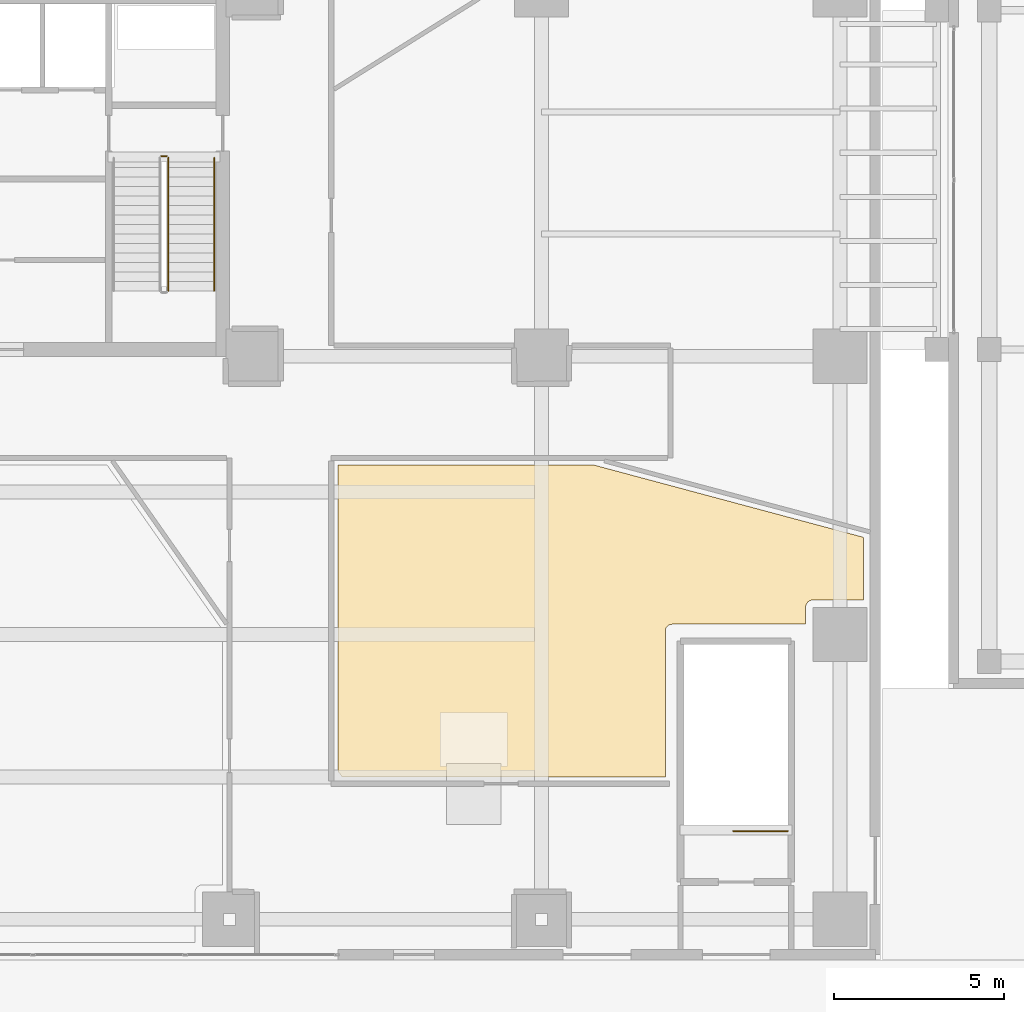
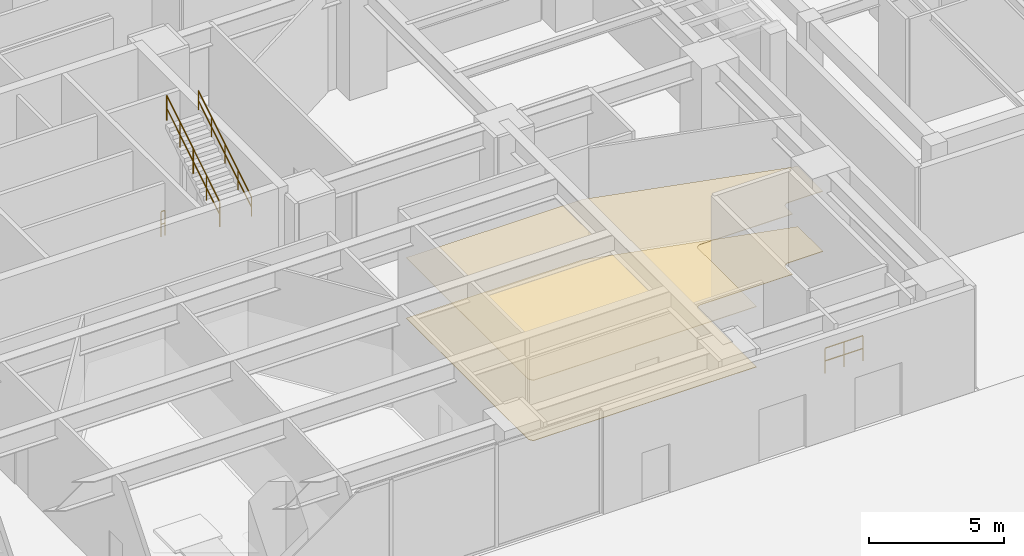
# One storey, part 25 of 28: 4 railings, 2 coverings.
"""IFC4 building model written with IfcOpenShell, lengths in metres."""

from ifc_helpers import new_model, si_unit, direction, frame, origin, origin_2d, place, context, subcontext, project, spatial, polyline, circle, outline, extrude, material, layer, layer_set, type_object, element, save


model = new_model("IFC4")

# Units and contexts
model_context = context("Model", 3, precision=1e-05, world=origin(), true_north=direction((0.0, 1.0)))
body_context = subcontext(model_context, "Body", "Model", "MODEL_VIEW")
ifc_project = project(units=[si_unit("LENGTHUNIT", "METRE"), si_unit("AREAUNIT", "SQUARE_METRE"), si_unit("VOLUMEUNIT", "CUBIC_METRE"), si_unit("PLANEANGLEUNIT", "RADIAN"), si_unit("MASSUNIT", "GRAM", prefix="KILO")], contexts=[model_context])

# Site, building, storey
site_placement = place(None, origin())
site = spatial("IfcSite", under=ifc_project, at=site_placement, CompositionType="ELEMENT")
building_placement = place(site_placement, origin())
building = spatial("IfcBuilding", under=site, at=building_placement, Name="Talar Marvaseh", CompositionType="ELEMENT")
storey_placement = place(building_placement, origin())
storey = spatial("IfcBuildingStorey", under=building, at=storey_placement, Name="L00", CompositionType="ELEMENT", Elevation=0.0)

# Railings
ifc_material_1 = material(Name="Stainless Steel Grade 316", Category="steel")
railing_type_1 = type_object("IfcRailingType", Name="Brushed Stainless Wall Pitch Handrail 900", PredefinedType="HANDRAIL", material=ifc_material_1)
railing_1_placement = place(storey_placement, frame((32.35009765625, 27.72998046875, 2.7734375)))
element("IfcRailing", 1, at=railing_1_placement, inside=storey, type_object=railing_type_1, Name="L00 ST-2 stair handrail 2", PredefinedType="HANDRAIL", context=body_context, shape_type="SweptSolid", body=[
    extrude(circle(Radius=0.02392578125, at=origin_2d()), frame((0.0, 0.0, 0.8759765625), z_axis=(0.0, 0.850275303828, 0.526338206574), x_axis=(-1.0, 0.0, 0.0)), (0.0, 0.0, 1.0), 4.610107421875),
    extrude(circle(Radius=0.02392578125, at=origin_2d()), frame((0.0, 0.0, 0.42578125), z_axis=(0.0, 0.850275303828, 0.526338206574), x_axis=(-1.0, 0.0, 0.0)), (0.0, 0.0, 1.0), 4.610107421875),
    extrude(circle(Radius=0.02099609375, at=origin_2d()), origin(), (0.0, 0.0, 1.0), 0.851806640625),
    extrude(circle(Radius=0.02099609375, at=origin_2d()), frame((0.0, 0.97998046875, 0.606689453125)), (0.0, 0.0, 1.0), 0.851806640625),
    extrude(circle(Radius=0.02099609375, at=origin_2d()), frame((0.0, 1.9599609375, 1.21337890625)), (0.0, 0.0, 1.0), 0.851806640625),
    extrude(circle(Radius=0.02099609375, at=origin_2d()), frame((0.0, 2.93994140625, 1.81982421875)), (0.0, 0.0, 1.0), 0.851806640625),
    extrude(circle(Radius=0.02099609375, at=origin_2d()), frame((0.0, 3.919921875, 2.426513671875)), (0.0, 0.0, 1.0), 0.851806640625),
])
railing_type_2 = type_object("IfcRailingType", Name="Painted Steel Core Stair Well Guardrail 1150", PredefinedType="GUARDRAIL", material=ifc_material_1)
railing_2_placement = place(storey_placement, frame((31.0, 27.72998046875, 2.7734375)))
element("IfcRailing", 2, at=railing_2_placement, inside=storey, type_object=railing_type_2, Name="L00 ST-2 stair guard 3", PredefinedType="GUARDRAIL", context=body_context, shape_type="SweptSolid", body=[
    extrude(circle(Radius=0.02392578125, at=origin_2d()), frame((0.0, 0.0, 1.1259765625), z_axis=(0.0, 0.850275303828, 0.526338206574), x_axis=(-1.0, 0.0, 0.0)), (0.0, 0.0, 1.0), 4.610107421875),
    extrude(circle(Radius=0.02392578125, at=origin_2d()), frame((0.0, 0.0, 0.55078125), z_axis=(0.0, 0.850275303828, 0.526338206574), x_axis=(-1.0, 0.0, 0.0)), (0.0, 0.0, 1.0), 4.610107421875),
    extrude(circle(Radius=0.02099609375, at=origin_2d()), origin(), (0.0, 0.0, 1.0), 1.101806640625),
    extrude(circle(Radius=0.02099609375, at=origin_2d()), frame((0.0, 0.97998046875, 0.606689453125)), (0.0, 0.0, 1.0), 1.101806640625),
    extrude(circle(Radius=0.02099609375, at=origin_2d()), frame((0.0, 1.9599609375, 1.21337890625)), (0.0, 0.0, 1.0), 1.101806640625),
    extrude(circle(Radius=0.02099609375, at=origin_2d()), frame((0.0, 2.93994140625, 1.81982421875)), (0.0, 0.0, 1.0), 1.101806640625),
    extrude(circle(Radius=0.02099609375, at=origin_2d()), frame((0.0, 3.919921875, 2.426513671875)), (0.0, 0.0, 1.0), 1.101806640625),
])
railing_3_placement = place(storey_placement, frame((30.7900390625, 31.699951171875, 0.0)))
element("IfcRailing", 3, at=railing_3_placement, inside=storey, type_object=railing_type_2, Name="L00 ST-2 stair guard 4", PredefinedType="GUARDRAIL", context=body_context, shape_type="SweptSolid", body=[
    extrude(circle(Radius=0.02392578125, at=origin_2d()), frame((0.0, 0.0, 1.1259765625), z_axis=(1.0, 0.0, 0.0), x_axis=(0.0, 1.0, 0.0)), (0.0, 0.0, 1.0), 0.159912109375),
    extrude(circle(Radius=0.02392578125, at=origin_2d()), frame((0.0, 0.0, 0.55078125), z_axis=(1.0, 0.0, 0.0), x_axis=(0.0, 1.0, 0.0)), (0.0, 0.0, 1.0), 0.159912109375),
    extrude(circle(Radius=0.02099609375, at=origin_2d()), origin(), (0.0, 0.0, 1.0), 1.101806640625),
    extrude(circle(Radius=0.02099609375, at=origin_2d()), frame((0.159912109375, 0.0, 0.0)), (0.0, 0.0, 1.0), 1.101806640625),
])
railing_4_placement = place(storey_placement, frame((49.260009765625, 11.800048828125, 0.0)))
element("IfcRailing", 4, at=railing_4_placement, inside=storey, type_object=railing_type_2, Name="L00 STN-ST2 top well guard 1", PredefinedType="GUARDRAIL", context=body_context, shape_type="SweptSolid", body=[
    extrude(circle(Radius=0.02392578125, at=origin_2d()), frame((0.0, 0.0, 1.1259765625), z_axis=(-1.0, 0.0, 0.0), x_axis=(0.0, -1.0, 0.0)), (0.0, 0.0, 1.0), 1.610107421875),
    extrude(circle(Radius=0.02392578125, at=origin_2d()), frame((0.0, 0.0, 0.55078125), z_axis=(-1.0, 0.0, 0.0), x_axis=(0.0, -1.0, 0.0)), (0.0, 0.0, 1.0), 1.610107421875),
    extrude(circle(Radius=0.02099609375, at=origin_2d()), origin(), (0.0, 0.0, 1.0), 1.101806640625),
    extrude(circle(Radius=0.02099609375, at=origin_2d()), frame((-0.80517578125, 0.0, 0.0)), (0.0, 0.0, 1.0), 1.101806640625),
    extrude(circle(Radius=0.02099609375, at=origin_2d()), frame((-1.610107421875, 0.0, 0.0)), (0.0, 0.0, 1.0), 1.101806640625),
])

# Coverings
ifc_material_2 = material(Name="Mineral Fibre Acoustic Ceiling")
ifc_layer_1 = layer(ifc_material_2, 0.02490234375)
ifc_layer_set_1 = layer_set([ifc_layer_1], Name="Mineral Fibre Acoustic Ceiling")
covering_type_1 = type_object("IfcCoveringType", Name="Perforated Mineral Fibre Acoustic Suspended Ceiling", PredefinedType="CEILING", material=ifc_layer_set_1)
covering_1_placement = place(storey_placement, frame((0.0, 0.0, 2.719970703125)))
element("IfcCovering", 5, at=covering_1_placement, inside=storey, type_object=covering_type_1, Name="L00 Museum Bookshop and Craft Boutique Acoustic Ceiling", PredefinedType="CEILING", context=body_context, shape_type="SweptSolid", body=[
    extrude(outline(polyline([(36.0, 13.567138671875), (36.0, 22.60009765625), (43.514404296875, 22.60009765625), (51.489990234375, 20.462890625), (51.489990234375, 18.614990234375), (49.994140625, 18.614013671875), (49.974609375, 18.61279296875), (49.955078125, 18.610107421875), (49.936279296875, 18.605224609375), (49.917724609375, 18.5986328125), (49.89990234375, 18.59033203125), (49.88330078125, 18.580078125), (49.867431640625, 18.568603515625), (49.852783203125, 18.555419921875), (49.83984375, 18.541015625), (49.828125, 18.525146484375), (49.81884765625, 18.51123046875), (49.80859375, 18.494384765625), (49.80029296875, 18.4765625), (49.793701171875, 18.4580078125), (49.788818359375, 18.439208984375), (49.785888671875, 18.419677734375), (49.784912109375, 18.39990234375), (49.784912109375, 17.89990234375), (45.85009765625, 17.89990234375), (45.830322265625, 17.89892578125), (45.81103515625, 17.896240234375), (45.7919921875, 17.891357421875), (45.7734375, 17.884765625), (45.755615234375, 17.87646484375), (45.739013671875, 17.8662109375), (45.72314453125, 17.8544921875), (45.70849609375, 17.84130859375), (45.6953125, 17.826904296875), (45.68359375, 17.81103515625), (45.673583984375, 17.794189453125), (45.665283203125, 17.776611328125), (45.65869140625, 17.758056640625), (45.65380859375, 17.739013671875), (45.65087890625, 17.719482421875), (45.64990234375, 17.699951171875), (45.64990234375, 13.39990234375), (36.1171875, 13.39990234375), (36.0, 13.567138671875)])), origin(), (0.0, 0.0, 1.0), 0.025146484375),
])
ifc_material_3 = material(Name="Porcelain Stoneware Tile", Category="masonry")
ifc_layer_2 = layer(ifc_material_3, 0.02001953125)
ifc_layer_set_2 = layer_set([ifc_layer_2], Name="Porcelain Stoneware Tile")
covering_type_2 = type_object("IfcCoveringType", Name="Polished Porcelain Stoneware Gallery Flooring", PredefinedType="FLOORING", material=ifc_layer_set_2)
covering_2_placement = place(storey_placement, origin())
element("IfcCovering", 6, at=covering_2_placement, inside=storey, type_object=covering_type_2, Name="L00 Museum Bookshop and Craft Boutique Flooring", PredefinedType="FLOORING", context=body_context, shape_type="SweptSolid", body=[
    extrude(outline(polyline([(36.0, 13.567138671875), (36.0, 22.60009765625), (43.514404296875, 22.60009765625), (51.489990234375, 20.462890625), (51.489990234375, 18.614990234375), (49.994140625, 18.614013671875), (49.974609375, 18.61279296875), (49.955078125, 18.610107421875), (49.936279296875, 18.605224609375), (49.917724609375, 18.5986328125), (49.89990234375, 18.59033203125), (49.88330078125, 18.580078125), (49.867431640625, 18.568603515625), (49.852783203125, 18.555419921875), (49.83984375, 18.541015625), (49.828125, 18.525146484375), (49.81884765625, 18.51123046875), (49.80859375, 18.494384765625), (49.80029296875, 18.4765625), (49.793701171875, 18.4580078125), (49.788818359375, 18.439208984375), (49.785888671875, 18.419677734375), (49.784912109375, 18.39990234375), (49.784912109375, 17.89990234375), (45.85009765625, 17.89990234375), (45.830322265625, 17.89892578125), (45.81103515625, 17.896240234375), (45.7919921875, 17.891357421875), (45.7734375, 17.884765625), (45.755615234375, 17.87646484375), (45.739013671875, 17.8662109375), (45.72314453125, 17.8544921875), (45.70849609375, 17.84130859375), (45.6953125, 17.826904296875), (45.68359375, 17.81103515625), (45.673583984375, 17.794189453125), (45.665283203125, 17.776611328125), (45.65869140625, 17.758056640625), (45.65380859375, 17.739013671875), (45.65087890625, 17.719482421875), (45.64990234375, 17.699951171875), (45.64990234375, 13.39990234375), (36.1171875, 13.39990234375), (36.0, 13.567138671875)])), origin(), (0.0, 0.0, 1.0), 0.02001953125),
])

save(model, "model.ifc")
